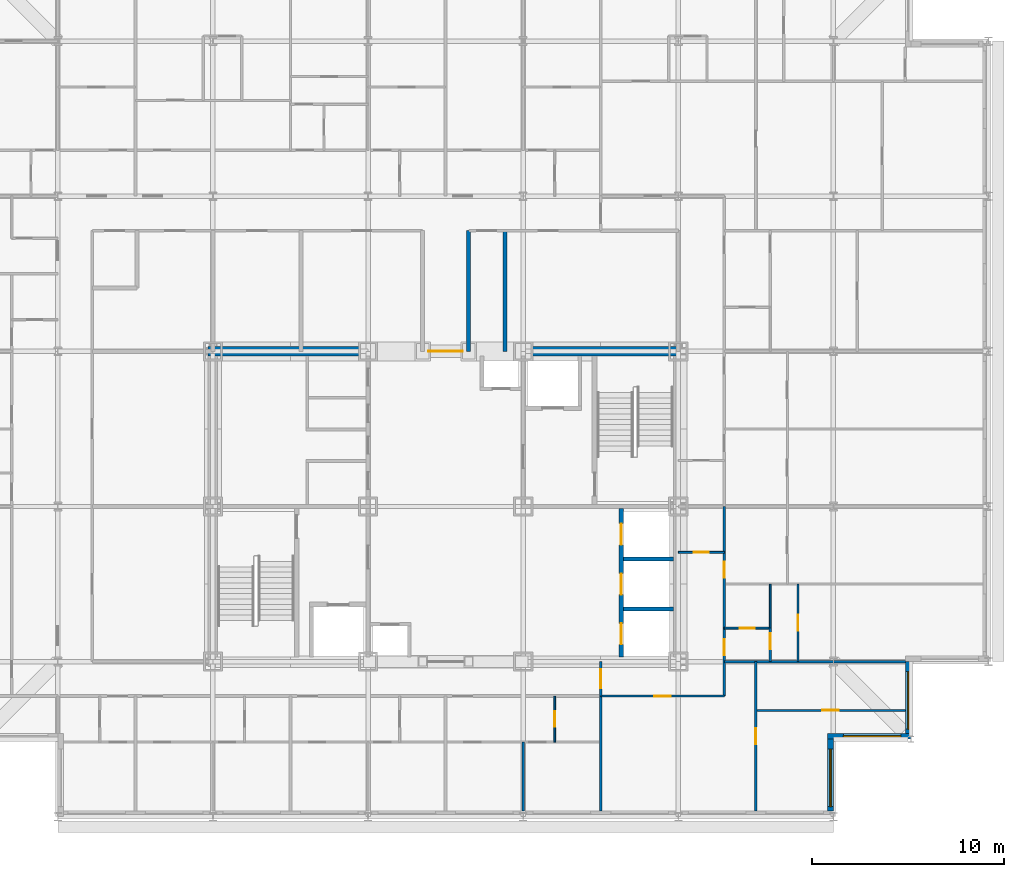
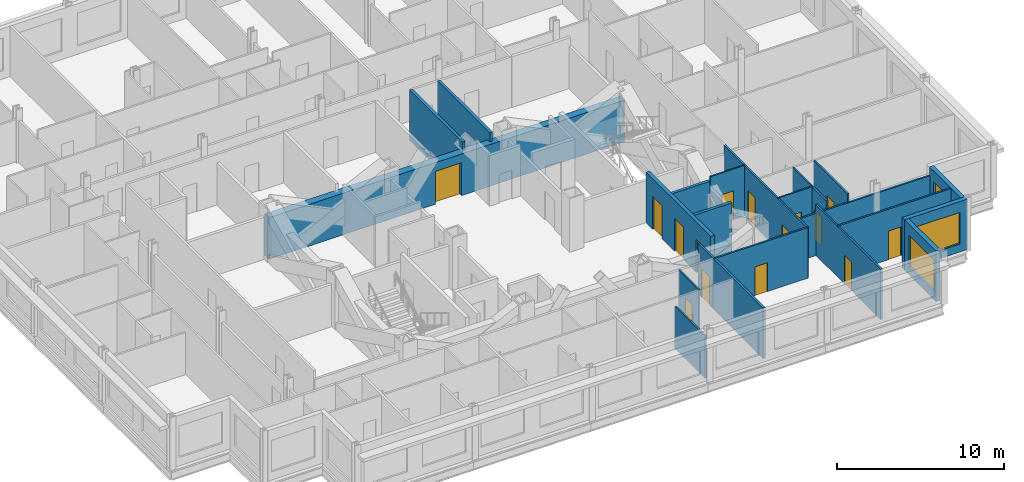
# One storey, part 10 of 16: 23 walls, 15 doors, 3 windows, 18 openings.
"""IFC4 building model written with IfcOpenShell, lengths in metres."""

from ifc_helpers import new_model, si_unit, direction, frame, frame_2d, origin, place, context, subcontext, project, spatial, rectangle, extrude, material, layer, layer_set, type_object, element, fill, save


model = new_model("IFC4")

# Units and contexts
model_context = context("Model", 3, precision=1e-05, world=origin(), true_north=direction((0.0, 1.0)))
body_context = subcontext(model_context, "Body", "Model", "MODEL_VIEW")
ifc_project = project(units=[si_unit("LENGTHUNIT", "METRE"), si_unit("AREAUNIT", "SQUARE_METRE"), si_unit("VOLUMEUNIT", "CUBIC_METRE"), si_unit("PLANEANGLEUNIT", "RADIAN"), si_unit("MASSUNIT", "GRAM", prefix="KILO")], contexts=[model_context])

# Site, building, storey
site_placement = place(None, origin())
site = spatial("IfcSite", under=ifc_project, at=site_placement, CompositionType="ELEMENT")
building_placement = place(site_placement, origin())
building = spatial("IfcBuilding", under=site, at=building_placement, Name="Kopane Lantern Tower", CompositionType="ELEMENT")
storey_placement = place(building_placement, frame((0.0, 0.0, 265.800048828125)))
storey = spatial("IfcBuildingStorey", under=building, at=storey_placement, Name="L68", CompositionType="ELEMENT", Elevation=265.800048828125)

# Wall
ifc_material_1 = material(Name="Gypsum board on steel studs", Category="steel")
ifc_layer_1 = layer(ifc_material_1, 0.1201171875)
ifc_layer_set_1 = layer_set([ifc_layer_1], Name="APARTMENT INTERNAL WALL 120")
wall_type_1 = type_object("IfcWallType", Name="APARTMENT INTERNAL WALL 120", PredefinedType="PARTITIONING", material=ifc_layer_set_1)
wall_1_placement = place(storey_placement, frame((32.39990234375, 20.10009765625, 0.0), z_axis=(0.0, 0.0, 1.0), x_axis=(0.0, -1.0, 0.0)))
element("IfcWall", 1, at=wall_1_placement, inside=storey, type_object=wall_type_1, Name="Apartment Internal Wall 120 L68", PredefinedType="PARTITIONING", context=body_context, shape_type="SweptSolid", body=[
    extrude(rectangle(XDim=3.60009765625, YDim=0.1201171875, at=frame_2d((1.800048828125, 0.0))), origin(), (0.0, 0.0, 1.0), 3.07763671875),
])

# Wall, openings, doors
wall_2_placement = place(storey_placement, frame((42.89990234375, 22.5, 0.0), z_axis=(0.0, 0.0, 1.0), x_axis=(0.0, 1.0, 0.0)))
wall_2 = element("IfcWall", 2, at=wall_2_placement, inside=storey, type_object=wall_type_1, Name="Apartment Internal Wall 120 L68", PredefinedType="PARTITIONING", context=body_context, shape_type="SweptSolid", body=[
    extrude(rectangle(XDim=9.89990234375, YDim=0.1201171875, at=frame_2d((4.949951171875, 0.0))), origin(), (0.0, 0.0, 1.0), 3.68994140625),
])
opening_1_placement = place(wall_2_placement, frame((2.125, 0.0, 0.0)))
opening_1 = element("IfcOpeningElement", 3, at=opening_1_placement, cuts=wall_2, Name="Opening L68-053", PredefinedType="OPENING", context=body_context, shape_type="SweptSolid", body=[
    extrude(rectangle(XDim=0.85009765625, YDim=2.10009765625, at=frame_2d((0.425048828125, 1.050048828125))), frame((0.0, 0.070068359375, 0.0), z_axis=(0.0, -1.0, 0.0), x_axis=(1.0, 0.0, 0.0)), (0.0, 0.0, 1.0), 0.14013671875),
])
opening_2_placement = place(wall_2_placement, frame((6.175048828125, 0.0, 0.0)))
opening_2 = element("IfcOpeningElement", 4, at=opening_2_placement, cuts=wall_2, Name="Opening L68-054", PredefinedType="OPENING", context=body_context, shape_type="SweptSolid", body=[
    extrude(rectangle(XDim=0.85009765625, YDim=2.10009765625, at=frame_2d((0.425048828125, 1.050048828125))), frame((0.0, 0.070068359375, 0.0), z_axis=(0.0, -1.0, 0.0), x_axis=(1.0, 0.0, 0.0)), (0.0, 0.0, 1.0), 0.14013671875),
])
ifc_material_2 = material(Name="Timber door set", Category="wood")
door_type_1 = type_object("IfcDoorType", Name="DOOR D4 850x2100", OperationType="SINGLE_SWING_LEFT", PredefinedType="DOOR", material=ifc_material_2)
door_1_placement = place(opening_1_placement, origin())
door_1 = element("IfcDoor", 5, at=door_1_placement, inside=storey, type_object=door_type_1, Name="Door L68-053", OperationType="SINGLE_SWING_RIGHT", OverallHeight=2.10009765625, OverallWidth=0.85009765625, PredefinedType="DOOR", context=body_context, shape_type="SweptSolid", body=[
    extrude(rectangle(XDim=0.85009765625, YDim=2.10009765625, at=frame_2d((0.425048828125, 1.050048828125))), frame((0.0, 0.02490234375, 0.0), z_axis=(0.0, -1.0, 0.0), x_axis=(1.0, 0.0, 0.0)), (0.0, 0.0, 1.0), 0.050048828125),
])
fill(opening_1, door_1)
door_2_placement = place(opening_2_placement, origin())
door_2 = element("IfcDoor", 6, at=door_2_placement, inside=storey, type_object=door_type_1, Name="Door L68-054", OperationType="SINGLE_SWING_RIGHT", OverallHeight=2.10009765625, OverallWidth=0.85009765625, PredefinedType="DOOR", context=body_context, shape_type="SweptSolid", body=[
    extrude(rectangle(XDim=0.85009765625, YDim=2.10009765625, at=frame_2d((0.425048828125, 1.050048828125))), frame((0.0, 0.02490234375, 0.0), z_axis=(0.0, -1.0, 0.0), x_axis=(1.0, 0.0, 0.0)), (0.0, 0.0, 1.0), 0.050048828125),
])
fill(opening_2, door_2)

# Wall, opening, door
wall_3_placement = place(storey_placement, frame((36.449951171875, 22.5, 0.0), z_axis=(0.0, 0.0, 1.0), x_axis=(1.0, 0.0, 0.0)))
wall_3 = element("IfcWall", 7, at=wall_3_placement, inside=storey, type_object=wall_type_1, Name="Apartment Internal Wall 120 L68", PredefinedType="PARTITIONING", context=body_context, shape_type="SweptSolid", body=[
    extrude(rectangle(XDim=6.449951171875, YDim=0.1201171875, at=frame_2d((3.22509765625, 0.0))), origin(), (0.0, 0.0, 1.0), 3.68994140625),
])
opening_3_placement = place(wall_3_placement, frame((2.800048828125, 0.0, 0.0)))
opening_3 = element("IfcOpeningElement", 8, at=opening_3_placement, cuts=wall_3, Name="Opening L68-050", PredefinedType="OPENING", context=body_context, shape_type="SweptSolid", body=[
    extrude(rectangle(XDim=0.85009765625, YDim=2.10009765625, at=frame_2d((0.425048828125, 1.050048828125))), frame((0.0, 0.070068359375, 0.0), z_axis=(0.0, -1.0, 0.0), x_axis=(1.0, 0.0, 0.0)), (0.0, 0.0, 1.0), 0.14013671875),
])
door_3_placement = place(opening_3_placement, origin())
door_3 = element("IfcDoor", 9, at=door_3_placement, inside=storey, type_object=door_type_1, Name="Door L68-050", OperationType="SINGLE_SWING_RIGHT", OverallHeight=2.10009765625, OverallWidth=0.85009765625, PredefinedType="DOOR", context=body_context, shape_type="SweptSolid", body=[
    extrude(rectangle(XDim=0.85009765625, YDim=2.10009765625, at=frame_2d((0.425048828125, 1.050048828125))), frame((0.0, 0.02490234375, 0.0), z_axis=(0.0, -1.0, 0.0), x_axis=(1.0, 0.0, 0.0)), (0.0, 0.0, 1.0), 0.050048828125),
])
fill(opening_3, door_3)

# Wall
wall_4_placement = place(storey_placement, frame((42.89990234375, 24.300048828125, 0.0), z_axis=(0.0, 0.0, 1.0), x_axis=(1.0, 0.0, 0.0)))
element("IfcWall", 10, at=wall_4_placement, inside=storey, type_object=wall_type_1, Name="Apartment Internal Wall 120 L68", PredefinedType="PARTITIONING", context=body_context, shape_type="SweptSolid", body=[
    extrude(rectangle(XDim=9.4501953125, YDim=0.1201171875, at=frame_2d((4.72509765625, 0.0))), origin(), (0.0, 0.0, 1.0), 3.07763671875),
])

# Wall, opening, door
wall_5_placement = place(storey_placement, frame((44.550048828125, 16.5, 0.0), z_axis=(0.0, 0.0, 1.0), x_axis=(0.0, 1.0, 0.0)))
wall_5 = element("IfcWall", 11, at=wall_5_placement, inside=storey, type_object=wall_type_1, Name="Apartment Internal Wall 120 L68", PredefinedType="PARTITIONING", context=body_context, shape_type="SweptSolid", body=[
    extrude(rectangle(XDim=7.800048828125, YDim=0.1201171875, at=frame_2d((3.89990234375, 0.0))), origin(), (0.0, 0.0, 1.0), 3.68994140625),
])
opening_4_placement = place(wall_5_placement, frame((3.47509765625, 0.0, 0.0)))
opening_4 = element("IfcOpeningElement", 12, at=opening_4_placement, cuts=wall_5, Name="Opening L68-051", PredefinedType="OPENING", context=body_context, shape_type="SweptSolid", body=[
    extrude(rectangle(XDim=0.85009765625, YDim=2.10009765625, at=frame_2d((0.425048828125, 1.050048828125))), frame((0.0, 0.070068359375, 0.0), z_axis=(0.0, -1.0, 0.0), x_axis=(1.0, 0.0, 0.0)), (0.0, 0.0, 1.0), 0.14013671875),
])
door_4_placement = place(opening_4_placement, origin())
door_4 = element("IfcDoor", 13, at=door_4_placement, inside=storey, type_object=door_type_1, Name="Door L68-051", OperationType="SINGLE_SWING_LEFT", OverallHeight=2.10009765625, OverallWidth=0.85009765625, PredefinedType="DOOR", context=body_context, shape_type="SweptSolid", body=[
    extrude(rectangle(XDim=0.85009765625, YDim=2.10009765625, at=frame_2d((0.425048828125, 1.050048828125))), frame((0.0, 0.02490234375, 0.0), z_axis=(0.0, -1.0, 0.0), x_axis=(1.0, 0.0, 0.0)), (0.0, 0.0, 1.0), 0.050048828125),
])
fill(opening_4, door_4)

wall_6_placement = place(storey_placement, frame((45.300048828125, 24.300048828125, 0.0), z_axis=(0.0, 0.0, 1.0), x_axis=(0.0, 1.0, 0.0)))
wall_6 = element("IfcWall", 14, at=wall_6_placement, inside=storey, type_object=wall_type_1, Name="Apartment Internal Wall 120 L68", PredefinedType="PARTITIONING", context=body_context, shape_type="SweptSolid", body=[
    extrude(rectangle(XDim=1.760009765625, YDim=0.1201171875, at=frame_2d((0.8798828125, 0.0))), origin(), (0.0, 0.0, 1.0), 3.68994140625),
])
opening_5_placement = place(wall_6_placement, frame((0.635009765625, 0.0, 0.0)))
opening_5 = element("IfcOpeningElement", 15, at=opening_5_placement, cuts=wall_6, Name="Opening L68-067", PredefinedType="OPENING", context=body_context, shape_type="SweptSolid", body=[
    extrude(rectangle(XDim=0.85009765625, YDim=2.10009765625, at=frame_2d((0.425048828125, 1.050048828125))), frame((0.0, 0.070068359375, 0.0), z_axis=(0.0, -1.0, 0.0), x_axis=(1.0, 0.0, 0.0)), (0.0, 0.0, 1.0), 0.14013671875),
])
door_5_placement = place(opening_5_placement, origin())
door_5 = element("IfcDoor", 16, at=door_5_placement, inside=storey, type_object=door_type_1, Name="Door L68-067", OperationType="SINGLE_SWING_RIGHT", OverallHeight=2.10009765625, OverallWidth=0.85009765625, PredefinedType="DOOR", context=body_context, shape_type="SweptSolid", body=[
    extrude(rectangle(XDim=0.85009765625, YDim=2.10009765625, at=frame_2d((0.425048828125, 1.050048828125))), frame((0.0, 0.02490234375, 0.0), z_axis=(0.0, -1.0, 0.0), x_axis=(1.0, 0.0, 0.0)), (0.0, 0.0, 1.0), 0.050048828125),
])
fill(opening_5, door_5)

wall_7_placement = place(storey_placement, frame((44.550048828125, 21.75, 0.0), z_axis=(0.0, 0.0, 1.0), x_axis=(1.0, 0.0, 0.0)))
wall_7 = element("IfcWall", 17, at=wall_7_placement, inside=storey, type_object=wall_type_1, Name="Apartment Internal Wall 120 L68", PredefinedType="PARTITIONING", context=body_context, shape_type="SweptSolid", body=[
    extrude(rectangle(XDim=7.800048828125, YDim=0.1201171875, at=frame_2d((3.89990234375, 0.0))), origin(), (0.0, 0.0, 1.0), 3.68994140625),
])
opening_6_placement = place(wall_7_placement, frame((3.47509765625, 0.0, 0.0)))
opening_6 = element("IfcOpeningElement", 18, at=opening_6_placement, cuts=wall_7, Name="Opening L68-076", PredefinedType="OPENING", context=body_context, shape_type="SweptSolid", body=[
    extrude(rectangle(XDim=0.85009765625, YDim=2.10009765625, at=frame_2d((0.425048828125, 1.050048828125))), frame((0.0, 0.070068359375, 0.0), z_axis=(0.0, -1.0, 0.0), x_axis=(1.0, 0.0, 0.0)), (0.0, 0.0, 1.0), 0.14013671875),
])
door_6_placement = place(opening_6_placement, origin())
door_6 = element("IfcDoor", 19, at=door_6_placement, inside=storey, type_object=door_type_1, Name="Door L68-076", OperationType="SINGLE_SWING_LEFT", OverallHeight=2.10009765625, OverallWidth=0.85009765625, PredefinedType="DOOR", context=body_context, shape_type="SweptSolid", body=[
    extrude(rectangle(XDim=0.85009765625, YDim=2.10009765625, at=frame_2d((0.425048828125, 1.050048828125))), frame((0.0, 0.02490234375, 0.0), z_axis=(0.0, -1.0, 0.0), x_axis=(1.0, 0.0, 0.0)), (0.0, 0.0, 1.0), 0.050048828125),
])
fill(opening_6, door_6)

wall_8_placement = place(storey_placement, frame((46.75, 24.300048828125, 0.0), z_axis=(0.0, 0.0, 1.0), x_axis=(0.0, 1.0, 0.0)))
wall_8 = element("IfcWall", 20, at=wall_8_placement, inside=storey, type_object=wall_type_1, Name="Apartment Internal Wall 120 L68", PredefinedType="PARTITIONING", context=body_context, shape_type="SweptSolid", body=[
    extrude(rectangle(XDim=4.050048828125, YDim=0.1201171875, at=frame_2d((2.02490234375, 0.0))), origin(), (0.0, 0.0, 1.0), 3.68994140625),
])
opening_7_placement = place(wall_8_placement, frame((1.60009765625, 0.0, 0.0)))
opening_7 = element("IfcOpeningElement", 21, at=opening_7_placement, cuts=wall_8, Name="Opening L68-077", PredefinedType="OPENING", context=body_context, shape_type="SweptSolid", body=[
    extrude(rectangle(XDim=0.85009765625, YDim=2.10009765625, at=frame_2d((0.425048828125, 1.050048828125))), frame((0.0, 0.070068359375, 0.0), z_axis=(0.0, -1.0, 0.0), x_axis=(1.0, 0.0, 0.0)), (0.0, 0.0, 1.0), 0.14013671875),
])
door_7_placement = place(opening_7_placement, origin())
door_7 = element("IfcDoor", 22, at=door_7_placement, inside=storey, type_object=door_type_1, Name="Door L68-077", OperationType="SINGLE_SWING_LEFT", OverallHeight=2.10009765625, OverallWidth=0.85009765625, PredefinedType="DOOR", context=body_context, shape_type="SweptSolid", body=[
    extrude(rectangle(XDim=0.85009765625, YDim=2.10009765625, at=frame_2d((0.425048828125, 1.050048828125))), frame((0.0, 0.02490234375, 0.0), z_axis=(0.0, -1.0, 0.0), x_axis=(1.0, 0.0, 0.0)), (0.0, 0.0, 1.0), 0.050048828125),
])
fill(opening_7, door_7)

ifc_material_3 = material(Name="Moisture-resistant board on steel studs", Category="steel")
ifc_layer_2 = layer(ifc_material_3, 0.10009765625)
ifc_layer_set_2 = layer_set([ifc_layer_2], Name="BATHROOM WALL 100")
wall_type_2 = type_object("IfcWallType", Name="BATHROOM WALL 100", PredefinedType="PARTITIONING", material=ifc_layer_set_2)
wall_9_placement = place(storey_placement, frame((34.050048828125, 22.5, 0.0), z_axis=(0.0, 0.0, 1.0), x_axis=(0.0, -1.0, 0.0)))
wall_9 = element("IfcWall", 23, at=wall_9_placement, inside=storey, type_object=wall_type_2, Name="Bathroom Wall 100 L68", PredefinedType="PARTITIONING", context=body_context, shape_type="SweptSolid", body=[
    extrude(rectangle(XDim=2.39990234375, YDim=0.10009765625, at=frame_2d((1.199951171875, 0.0))), origin(), (0.0, 0.0, 1.0), 3.68994140625),
])
opening_8_placement = place(wall_9_placement, frame((0.800048828125, 0.0, 0.0)))
opening_8 = element("IfcOpeningElement", 24, at=opening_8_placement, cuts=wall_9, Name="Opening L68-017", PredefinedType="OPENING", context=body_context, shape_type="SweptSolid", body=[
    extrude(rectangle(XDim=0.800048828125, YDim=2.10009765625, at=frame_2d((0.39990234375, 1.050048828125))), frame((0.0, 0.06005859375, 0.0), z_axis=(0.0, -1.0, 0.0), x_axis=(1.0, 0.0, 0.0)), (0.0, 0.0, 1.0), 0.1201171875),
])
ifc_material_4 = material(Name="Timber door set", Category="wood")
door_type_2 = type_object("IfcDoorType", Name="DOOR D2 800x2100", OperationType="SINGLE_SWING_LEFT", PredefinedType="DOOR", material=ifc_material_4)
door_8_placement = place(opening_8_placement, origin())
door_8 = element("IfcDoor", 25, at=door_8_placement, inside=storey, type_object=door_type_2, Name="Door L68-017", OperationType="SINGLE_SWING_LEFT", OverallHeight=2.10009765625, OverallWidth=0.800048828125, PredefinedType="DOOR", context=body_context, shape_type="SweptSolid", body=[
    extrude(rectangle(XDim=0.800048828125, YDim=2.10009765625, at=frame_2d((0.39990234375, 1.050048828125))), frame((0.0, 0.02490234375, 0.0), z_axis=(0.0, -1.0, 0.0), x_axis=(1.0, 0.0, 0.0)), (0.0, 0.0, 1.0), 0.050048828125),
])
fill(opening_8, door_8)

wall_10_placement = place(storey_placement, frame((40.5, 30.0, 0.0), z_axis=(0.0, 0.0, 1.0), x_axis=(1.0, 0.0, 0.0)))
wall_10 = element("IfcWall", 26, at=wall_10_placement, inside=storey, type_object=wall_type_2, Name="Bathroom Wall 100 L68", PredefinedType="PARTITIONING", context=body_context, shape_type="SweptSolid", body=[
    extrude(rectangle(XDim=2.39990234375, YDim=0.10009765625, at=frame_2d((1.199951171875, 0.0))), origin(), (0.0, 0.0, 1.0), 3.68994140625),
])
opening_9_placement = place(wall_10_placement, frame((0.800048828125, 0.0, 0.0)))
opening_9 = element("IfcOpeningElement", 27, at=opening_9_placement, cuts=wall_10, Name="Opening L68-049", PredefinedType="OPENING", context=body_context, shape_type="SweptSolid", body=[
    extrude(rectangle(XDim=0.800048828125, YDim=2.10009765625, at=frame_2d((0.39990234375, 1.050048828125))), frame((0.0, 0.06005859375, 0.0), z_axis=(0.0, -1.0, 0.0), x_axis=(1.0, 0.0, 0.0)), (0.0, 0.0, 1.0), 0.1201171875),
])
door_9_placement = place(opening_9_placement, origin())
door_9 = element("IfcDoor", 28, at=door_9_placement, inside=storey, type_object=door_type_2, Name="Door L68-049", OperationType="SINGLE_SWING_LEFT", OverallHeight=2.10009765625, OverallWidth=0.800048828125, PredefinedType="DOOR", context=body_context, shape_type="SweptSolid", body=[
    extrude(rectangle(XDim=0.800048828125, YDim=2.10009765625, at=frame_2d((0.39990234375, 1.050048828125))), frame((0.0, 0.02490234375, 0.0), z_axis=(0.0, -1.0, 0.0), x_axis=(1.0, 0.0, 0.0)), (0.0, 0.0, 1.0), 0.050048828125),
])
fill(opening_9, door_9)

wall_11_placement = place(storey_placement, frame((42.89990234375, 26.050048828125, 0.0), z_axis=(0.0, 0.0, 1.0), x_axis=(1.0, 0.0, 0.0)))
wall_11 = element("IfcWall", 29, at=wall_11_placement, inside=storey, type_object=wall_type_2, Name="Bathroom Wall 100 L68", PredefinedType="PARTITIONING", context=body_context, shape_type="SweptSolid", body=[
    extrude(rectangle(XDim=2.400146484375, YDim=0.10009765625, at=frame_2d((1.2001953125, 0.0))), origin(), (0.0, 0.0, 1.0), 3.68994140625),
])
opening_10_placement = place(wall_11_placement, frame((0.800048828125, 0.0, 0.0)))
opening_10 = element("IfcOpeningElement", 30, at=opening_10_placement, cuts=wall_11, Name="Opening L68-052", PredefinedType="OPENING", context=body_context, shape_type="SweptSolid", body=[
    extrude(rectangle(XDim=0.800048828125, YDim=2.10009765625, at=frame_2d((0.39990234375, 1.050048828125))), frame((0.0, 0.06005859375, 0.0), z_axis=(0.0, -1.0, 0.0), x_axis=(1.0, 0.0, 0.0)), (0.0, 0.0, 1.0), 0.1201171875),
])
door_10_placement = place(opening_10_placement, origin())
door_10 = element("IfcDoor", 31, at=door_10_placement, inside=storey, type_object=door_type_2, Name="Door L68-052", OperationType="SINGLE_SWING_LEFT", OverallHeight=2.10009765625, OverallWidth=0.800048828125, PredefinedType="DOOR", context=body_context, shape_type="SweptSolid", body=[
    extrude(rectangle(XDim=0.800048828125, YDim=2.10009765625, at=frame_2d((0.39990234375, 1.050048828125))), frame((0.0, 0.02490234375, 0.0), z_axis=(0.0, -1.0, 0.0), x_axis=(1.0, 0.0, 0.0)), (0.0, 0.0, 1.0), 0.050048828125),
])
fill(opening_10, door_10)

# Wall
wall_12_placement = place(storey_placement, frame((45.300048828125, 26.050048828125, 0.0), z_axis=(0.0, 0.0, 1.0), x_axis=(0.0, 1.0, 0.0)))
element("IfcWall", 32, at=wall_12_placement, inside=storey, type_object=wall_type_2, Name="Bathroom Wall 100 L68", PredefinedType="PARTITIONING", context=body_context, shape_type="SweptSolid", body=[
    extrude(rectangle(XDim=2.300048828125, YDim=0.10009765625, at=frame_2d((1.14990234375, 0.0))), origin(), (0.0, 0.0, 1.0), 3.68994140625),
])

# Wall, opening, door
ifc_material_5 = material(Name="Gypsum shaft wall EI 120", Category="gypsum")
ifc_layer_3 = layer(ifc_material_5, 0.5)
ifc_layer_set_3 = layer_set([ifc_layer_3], Name="CORE PERIMETER WALL 500 EI 120")
wall_type_3 = type_object("IfcWallType", Name="CORE PERIMETER WALL 500 EI 120", PredefinedType="SOLIDWALL", material=ifc_layer_set_3)
wall_13_placement = place(storey_placement, frame((15.949951171875, 40.5, 0.0), z_axis=(0.0, 0.0, 1.0), x_axis=(1.0, 0.0, 0.0)))
wall_13 = element("IfcWall", 33, at=wall_13_placement, inside=storey, type_object=wall_type_3, Name="Core shaft wall L68 PN", PredefinedType="SOLIDWALL", context=body_context, shape_type="SweptSolid", body=[
    extrude(rectangle(XDim=24.550048828125, YDim=0.5, at=frame_2d((12.27490234375, 0.0))), origin(), (0.0, 0.0, 1.0), 3.0400390625),
])
opening_11_placement = place(wall_13_placement, frame((11.5, 0.0, 0.0)))
opening_11 = element("IfcOpeningElement", 34, at=opening_11_placement, cuts=wall_13, Name="Opening 68.CE-N", PredefinedType="OPENING", context=body_context, shape_type="SweptSolid", body=[
    extrude(rectangle(XDim=1.800048828125, YDim=2.39990234375, at=frame_2d((0.89990234375, 1.199951171875))), frame((0.0, 0.260009765625, 0.0), z_axis=(0.0, -1.0, 0.0), x_axis=(1.0, 0.0, 0.0)), (0.0, 0.0, 1.0), 0.52001953125),
])
ifc_material_6 = material(Name="Steel door set", Category="steel")
door_type_3 = type_object("IfcDoorType", Name="CORE ENTRY DOOR 1800x2400 FD60S", OperationType="DOUBLE_DOOR_SINGLE_SWING", PredefinedType="DOOR", material=ifc_material_6)
door_11_placement = place(opening_11_placement, origin())
door_11 = element("IfcDoor", 35, at=door_11_placement, inside=storey, type_object=door_type_3, Name="Core entry door L68 north", OperationType="DOUBLE_DOOR_SINGLE_SWING", OverallHeight=2.39990234375, OverallWidth=1.800048828125, PredefinedType="DOOR", context=body_context, shape_type="SweptSolid", body=[
    extrude(rectangle(XDim=1.800048828125, YDim=2.39990234375, at=frame_2d((0.89990234375, 1.199951171875))), frame((0.0, 0.02490234375, 0.0), z_axis=(0.0, -1.0, 0.0), x_axis=(1.0, 0.0, 0.0)), (0.0, 0.0, 1.0), 0.050048828125),
])
fill(opening_11, door_11)

# Wall, openings, doors
ifc_material_7 = material(Name="Gypsum shaft wall EI 120", Category="gypsum")
ifc_layer_4 = layer(ifc_material_7, 0.25)
ifc_layer_set_4 = layer_set([ifc_layer_4], Name="CORE SHAFT WALL 250 EI 120")
wall_type_4 = type_object("IfcWallType", Name="CORE SHAFT WALL 250 EI 120", PredefinedType="SOLIDWALL", material=ifc_layer_set_4)
wall_14_placement = place(storey_placement, frame((37.52490234375, 24.550048828125, 0.0), z_axis=(0.0, 0.0, 1.0), x_axis=(0.0, 1.0, 0.0)))
wall_14 = element("IfcWall", 36, at=wall_14_placement, inside=storey, type_object=wall_type_4, Name="Core shaft wall L68 XLR", PredefinedType="SOLIDWALL", context=body_context, shape_type="SweptSolid", body=[
    extrude(rectangle(XDim=7.75, YDim=0.25, at=frame_2d((3.875, 0.0))), origin(), (0.0, 0.0, 1.0), 3.68994140625),
])
opening_12_placement = place(wall_14_placement, frame((0.64990234375, 0.0, 0.0)))
opening_12 = element("IfcOpeningElement", 37, at=opening_12_placement, cuts=wall_14, Name="Opening 68.LD-LR1", PredefinedType="OPENING", context=body_context, shape_type="SweptSolid", body=[
    extrude(rectangle(XDim=1.10009765625, YDim=2.39990234375, at=frame_2d((0.550048828125, 1.199951171875))), frame((0.0, 0.135009765625, 0.0), z_axis=(0.0, -1.0, 0.0), x_axis=(1.0, 0.0, 0.0)), (0.0, 0.0, 1.0), 0.27001953125),
])
opening_13_placement = place(wall_14_placement, frame((3.25, 0.0, 0.0)))
opening_13 = element("IfcOpeningElement", 38, at=opening_13_placement, cuts=wall_14, Name="Opening 68.LD-LR2", PredefinedType="OPENING", context=body_context, shape_type="SweptSolid", body=[
    extrude(rectangle(XDim=1.10009765625, YDim=2.39990234375, at=frame_2d((0.550048828125, 1.199951171875))), frame((0.0, 0.135009765625, 0.0), z_axis=(0.0, -1.0, 0.0), x_axis=(1.0, 0.0, 0.0)), (0.0, 0.0, 1.0), 0.27001953125),
])
opening_14_placement = place(wall_14_placement, frame((5.85009765625, 0.0, 0.0)))
opening_14 = element("IfcOpeningElement", 39, at=opening_14_placement, cuts=wall_14, Name="Opening 68.LD-LR3", PredefinedType="OPENING", context=body_context, shape_type="SweptSolid", body=[
    extrude(rectangle(XDim=1.10009765625, YDim=2.39990234375, at=frame_2d((0.550048828125, 1.199951171875))), frame((0.0, 0.135009765625, 0.0), z_axis=(0.0, -1.0, 0.0), x_axis=(1.0, 0.0, 0.0)), (0.0, 0.0, 1.0), 0.27001953125),
])
ifc_material_8 = material(Name="Steel door set", Category="steel")
door_type_4 = type_object("IfcDoorType", Name="LIFT LANDING DOOR 1100x2400 FD60", OperationType="DOUBLE_DOOR_SLIDING", PredefinedType="DOOR", material=ifc_material_8)
door_12_placement = place(opening_12_placement, origin())
door_12 = element("IfcDoor", 40, at=door_12_placement, inside=storey, type_object=door_type_4, Name="Landing door LR1 L68", OperationType="DOUBLE_DOOR_SLIDING", OverallHeight=2.39990234375, OverallWidth=1.10009765625, PredefinedType="DOOR", context=body_context, shape_type="SweptSolid", body=[
    extrude(rectangle(XDim=1.10009765625, YDim=2.39990234375, at=frame_2d((0.550048828125, 1.199951171875))), frame((0.0, 0.02490234375, 0.0), z_axis=(0.0, -1.0, 0.0), x_axis=(1.0, 0.0, 0.0)), (0.0, 0.0, 1.0), 0.050048828125),
])
fill(opening_12, door_12)
door_13_placement = place(opening_13_placement, origin())
door_13 = element("IfcDoor", 41, at=door_13_placement, inside=storey, type_object=door_type_4, Name="Landing door LR2 L68", OperationType="DOUBLE_DOOR_SLIDING", OverallHeight=2.39990234375, OverallWidth=1.10009765625, PredefinedType="DOOR", context=body_context, shape_type="SweptSolid", body=[
    extrude(rectangle(XDim=1.10009765625, YDim=2.39990234375, at=frame_2d((0.550048828125, 1.199951171875))), frame((0.0, 0.02490234375, 0.0), z_axis=(0.0, -1.0, 0.0), x_axis=(1.0, 0.0, 0.0)), (0.0, 0.0, 1.0), 0.050048828125),
])
fill(opening_13, door_13)
door_14_placement = place(opening_14_placement, origin())
door_14 = element("IfcDoor", 42, at=door_14_placement, inside=storey, type_object=door_type_4, Name="Landing door LR3 L68", OperationType="DOUBLE_DOOR_SLIDING", OverallHeight=2.39990234375, OverallWidth=1.10009765625, PredefinedType="DOOR", context=body_context, shape_type="SweptSolid", body=[
    extrude(rectangle(XDim=1.10009765625, YDim=2.39990234375, at=frame_2d((0.550048828125, 1.199951171875))), frame((0.0, 0.02490234375, 0.0), z_axis=(0.0, -1.0, 0.0), x_axis=(1.0, 0.0, 0.0)), (0.0, 0.0, 1.0), 0.050048828125),
])
fill(opening_14, door_14)

# Wall, opening, door
ifc_material_9 = material(Name="Gypsum board on steel studs", Category="steel")
ifc_layer_5 = layer(ifc_material_9, 0.14990234375)
ifc_layer_set_5 = layer_set([ifc_layer_5], Name="CORRIDOR WALL 150 EI 60")
wall_type_5 = type_object("IfcWallType", Name="CORRIDOR WALL 150 EI 60", PredefinedType="PARTITIONING", material=ifc_layer_set_5)
wall_15_placement = place(storey_placement, frame((36.449951171875, 22.5, 0.0), z_axis=(0.0, 0.0, 1.0), x_axis=(0.0, 1.0, 0.0)))
wall_15 = element("IfcWall", 43, at=wall_15_placement, inside=storey, type_object=wall_type_5, Name="Corridor Wall 150 Ei 60 L68", PredefinedType="PARTITIONING", context=body_context, shape_type="SweptSolid", body=[
    extrude(rectangle(XDim=1.800048828125, YDim=0.14990234375, at=frame_2d((0.89990234375, 0.0))), origin(), (0.0, 0.0, 1.0), 3.68994140625),
])
opening_15_placement = place(wall_15_placement, frame((0.39990234375, 0.0, 0.0)))
opening_15 = element("IfcOpeningElement", 44, at=opening_15_placement, cuts=wall_15, Name="Opening L68-048", PredefinedType="OPENING", context=body_context, shape_type="SweptSolid", body=[
    extrude(rectangle(XDim=1.0, YDim=2.10009765625, at=frame_2d((0.5, 1.050048828125))), frame((0.0, 0.0849609375, 0.0), z_axis=(0.0, -1.0, 0.0), x_axis=(1.0, 0.0, 0.0)), (0.0, 0.0, 1.0), 0.169921875),
])
ifc_material_10 = material(Name="Steel door set", Category="steel")
door_type_5 = type_object("IfcDoorType", Name="DOOR D3 1000x2100 FD30S", OperationType="SINGLE_SWING_LEFT", PredefinedType="DOOR", material=ifc_material_10)
door_15_placement = place(opening_15_placement, origin())
door_15 = element("IfcDoor", 45, at=door_15_placement, inside=storey, type_object=door_type_5, Name="Door L68-048", OperationType="SINGLE_SWING_RIGHT", OverallHeight=2.10009765625, OverallWidth=1.0, PredefinedType="DOOR", context=body_context, shape_type="SweptSolid", body=[
    extrude(rectangle(XDim=1.0, YDim=2.10009765625, at=frame_2d((0.5, 1.050048828125))), frame((0.0, 0.02490234375, 0.0), z_axis=(0.0, -1.0, 0.0), x_axis=(1.0, 0.0, 0.0)), (0.0, 0.0, 1.0), 0.050048828125),
])
fill(opening_15, door_15)

# Wall
ifc_material_11 = material(Name="Gypsum board on steel studs", Category="steel")
ifc_layer_6 = layer(ifc_material_11, 0.14990234375)
ifc_layer_set_6 = layer_set([ifc_layer_6], Name="DEMISING WALL 150 EI 60")
wall_type_6 = type_object("IfcWallType", Name="DEMISING WALL 150 EI 60", PredefinedType="PARTITIONING", material=ifc_layer_set_6)
wall_16_placement = place(storey_placement, frame((36.449951171875, 16.5, 0.0), z_axis=(0.0, 0.0, 1.0), x_axis=(0.0, 1.0, 0.0)))
element("IfcWall", 46, at=wall_16_placement, inside=storey, type_object=wall_type_6, Name="Demising Wall 150 Ei 60 L68", PredefinedType="PARTITIONING", context=body_context, shape_type="SweptSolid", body=[
    extrude(rectangle(XDim=6.0, YDim=0.14990234375, at=frame_2d((3.0, 0.0))), origin(), (0.0, 0.0, 1.0), 3.68994140625),
])

# Wall, opening, window
ifc_material_12 = material(Name="Terracotta rainscreen on light steel framing", Category="masonry")
ifc_layer_7 = layer(ifc_material_12, 0.300048828125)
ifc_layer_set_7 = layer_set([ifc_layer_7], Name="EXTERNAL WALL EW1 300 TERRACOTTA")
wall_type_7 = type_object("IfcWallType", Name="EXTERNAL WALL EW1 300 TERRACOTTA", PredefinedType="SOLIDWALL", material=ifc_layer_set_7)
wall_17_placement = place(storey_placement, frame((48.449951171875, 16.5, 0.0), z_axis=(0.0, 0.0, 1.0), x_axis=(0.0, 1.0, 0.0)))
wall_17 = element("IfcWall", 47, at=wall_17_placement, inside=storey, type_object=wall_type_7, Name="External wall E L68", PredefinedType="SOLIDWALL", context=body_context, shape_type="SweptSolid", body=[
    extrude(rectangle(XDim=3.75, YDim=0.300048828125, at=frame_2d((1.875, 0.0))), origin(), (0.0, 0.0, 1.0), 3.68994140625),
])
opening_16_placement = place(wall_17_placement, frame((0.22509765625, 0.0, 0.60009765625)))
opening_16 = element("IfcOpeningElement", 48, at=opening_16_placement, cuts=wall_17, Name="Opening WR300230", PredefinedType="OPENING", context=body_context, shape_type="SweptSolid", body=[
    extrude(rectangle(XDim=3.0, YDim=2.300048828125, at=frame_2d((1.5, 1.14990234375))), frame((0.0, 0.159912109375, 0.0), z_axis=(0.0, -1.0, 0.0), x_axis=(1.0, 0.0, 0.0)), (0.0, 0.0, 1.0), 0.320068359375),
])
ifc_material_13 = material(Name="Aluminium and clear glass", Category="aluminium")
window_type = type_object("IfcWindowType", Name="RIBBON WINDOW WR300230 3000x2300", PartitioningType="SINGLE_PANEL", PredefinedType="WINDOW", material=ifc_material_13)
window_1_placement = place(opening_16_placement, origin())
window_1 = element("IfcWindow", 49, at=window_1_placement, inside=storey, type_object=window_type, Name="Window E L68", OverallHeight=2.300048828125, OverallWidth=3.0, PartitioningType="SINGLE_PANEL", PredefinedType="WINDOW", context=body_context, shape_type="SweptSolid", body=[
    extrude(rectangle(XDim=3.0, YDim=2.300048828125, at=frame_2d((1.5, 1.14990234375))), frame((0.0, 0.030029296875, 0.0), z_axis=(0.0, -1.0, 0.0), x_axis=(1.0, 0.0, 0.0)), (0.0, 0.0, 1.0), 0.06005859375),
])
fill(opening_16, window_1)

wall_18_placement = place(storey_placement, frame((48.300048828125, 20.39990234375, 0.0), z_axis=(0.0, 0.0, 1.0), x_axis=(1.0, 0.0, 0.0)))
wall_18 = element("IfcWall", 50, at=wall_18_placement, inside=storey, type_object=wall_type_7, Name="External wall S L68", PredefinedType="SOLIDWALL", context=body_context, shape_type="SweptSolid", body=[
    extrude(rectangle(XDim=4.349853515625, YDim=0.300048828125, at=frame_2d((2.1748046875, 0.0))), origin(), (0.0, 0.0, 1.0), 3.68994140625),
])
opening_17_placement = place(wall_18_placement, frame((0.824951171875, 0.0, 0.60009765625)))
opening_17 = element("IfcOpeningElement", 51, at=opening_17_placement, cuts=wall_18, Name="Opening WR300230", PredefinedType="OPENING", context=body_context, shape_type="SweptSolid", body=[
    extrude(rectangle(XDim=3.0, YDim=2.300048828125, at=frame_2d((1.5, 1.14990234375))), frame((0.0, 0.159912109375, 0.0), z_axis=(0.0, -1.0, 0.0), x_axis=(1.0, 0.0, 0.0)), (0.0, 0.0, 1.0), 0.320068359375),
])
window_2_placement = place(opening_17_placement, origin())
window_2 = element("IfcWindow", 52, at=window_2_placement, inside=storey, type_object=window_type, Name="Window S L68", OverallHeight=2.300048828125, OverallWidth=3.0, PartitioningType="SINGLE_PANEL", PredefinedType="WINDOW", context=body_context, shape_type="SweptSolid", body=[
    extrude(rectangle(XDim=3.0, YDim=2.300048828125, at=frame_2d((1.5, 1.14990234375))), frame((0.0, 0.030029296875, 0.0), z_axis=(0.0, -1.0, 0.0), x_axis=(1.0, 0.0, 0.0)), (0.0, 0.0, 1.0), 0.06005859375),
])
fill(opening_17, window_2)

wall_19_placement = place(storey_placement, frame((52.5, 20.550048828125, 0.0), z_axis=(0.0, 0.0, 1.0), x_axis=(0.0, 1.0, 0.0)))
wall_19 = element("IfcWall", 53, at=wall_19_placement, inside=storey, type_object=wall_type_7, Name="External wall E L68", PredefinedType="SOLIDWALL", context=body_context, shape_type="SweptSolid", body=[
    extrude(rectangle(XDim=3.75, YDim=0.300048828125, at=frame_2d((1.875, 0.0))), origin(), (0.0, 0.0, 1.0), 3.68994140625),
])
opening_18_placement = place(wall_19_placement, frame((0.22509765625, 0.0, 0.60009765625)))
opening_18 = element("IfcOpeningElement", 54, at=opening_18_placement, cuts=wall_19, Name="Opening WR300230", PredefinedType="OPENING", context=body_context, shape_type="SweptSolid", body=[
    extrude(rectangle(XDim=3.0, YDim=2.300048828125, at=frame_2d((1.5, 1.14990234375))), frame((0.0, 0.159912109375, 0.0), z_axis=(0.0, -1.0, 0.0), x_axis=(1.0, 0.0, 0.0)), (0.0, 0.0, 1.0), 0.320068359375),
])
window_3_placement = place(opening_18_placement, origin())
window_3 = element("IfcWindow", 55, at=window_3_placement, inside=storey, type_object=window_type, Name="Window E L68", OverallHeight=2.300048828125, OverallWidth=3.0, PartitioningType="SINGLE_PANEL", PredefinedType="WINDOW", context=body_context, shape_type="SweptSolid", body=[
    extrude(rectangle(XDim=3.0, YDim=2.300048828125, at=frame_2d((1.5, 1.14990234375))), frame((0.0, 0.030029296875, 0.0), z_axis=(0.0, -1.0, 0.0), x_axis=(1.0, 0.0, 0.0)), (0.0, 0.0, 1.0), 0.06005859375),
])
fill(opening_18, window_3)

# Walls
ifc_material_14 = material(Name="Concrete masonry", Category="masonry")
ifc_layer_8 = layer(ifc_material_14, 0.199951171875)
ifc_layer_set_8 = layer_set([ifc_layer_8], Name="PLANT ROOM WALL 200 EI 120")
wall_type_8 = type_object("IfcWallType", Name="PLANT ROOM WALL 200 EI 120", PredefinedType="SOLIDWALL", material=ifc_layer_set_8)
for number, where, z_axis, x_axis, name in (
    (56, (31.454833984375, 46.800048828125, 0.0), (0.0, 0.0, 1.0), (0.0, -1.0, 0.0), "Plant Room Wall 200 Ei 120 L68"),
    (57, (29.550048828125, 40.5, 0.0), (0.0, 0.0, 1.0), (0.0, 1.0, 0.0), "Plant Room Wall 200 Ei 120 L68"),
):
    element("IfcWall", number, at=place(storey_placement, frame(where, z_axis=z_axis, x_axis=x_axis)), inside=storey, type_object=wall_type_8, Name=name, PredefinedType="SOLIDWALL", context=body_context, shape_type="SweptSolid", body=[
        extrude(rectangle(XDim=6.300048828125, YDim=0.199951171875, at=frame_2d((3.14990234375, 0.0))), origin(), (0.0, 0.0, 1.0), 3.68994140625),
    ])
ifc_material_15 = material(Name="Gypsum shaft wall EI 120", Category="gypsum")
ifc_layer_9 = layer(ifc_material_15, 0.199951171875)
ifc_layer_set_9 = layer_set([ifc_layer_9], Name="SHAFT WALL 200 EI 120")
wall_type_9 = type_object("IfcWallType", Name="SHAFT WALL 200 EI 120", PredefinedType="SOLIDWALL", material=ifc_layer_set_9)
for number, where, z_axis, x_axis, name in (
    (58, (37.64990234375, 27.050048828125, 0.0), (0.0, 0.0, 1.0), (1.0, 0.0, 0.0), "Core shaft wall L68 YLR12"),
    (59, (37.64990234375, 29.64990234375, 0.0), (0.0, 0.0, 1.0), (1.0, 0.0, 0.0), "Core shaft wall L68 YLR23"),
):
    element("IfcWall", number, at=place(storey_placement, frame(where, z_axis=z_axis, x_axis=x_axis)), inside=storey, type_object=wall_type_9, Name=name, PredefinedType="SOLIDWALL", context=body_context, shape_type="SweptSolid", body=[
        extrude(rectangle(XDim=2.60009765625, YDim=0.199951171875, at=frame_2d((1.300048828125, 0.0))), origin(), (0.0, 0.0, 1.0), 3.68994140625),
    ])

save(model, "model.ifc")
